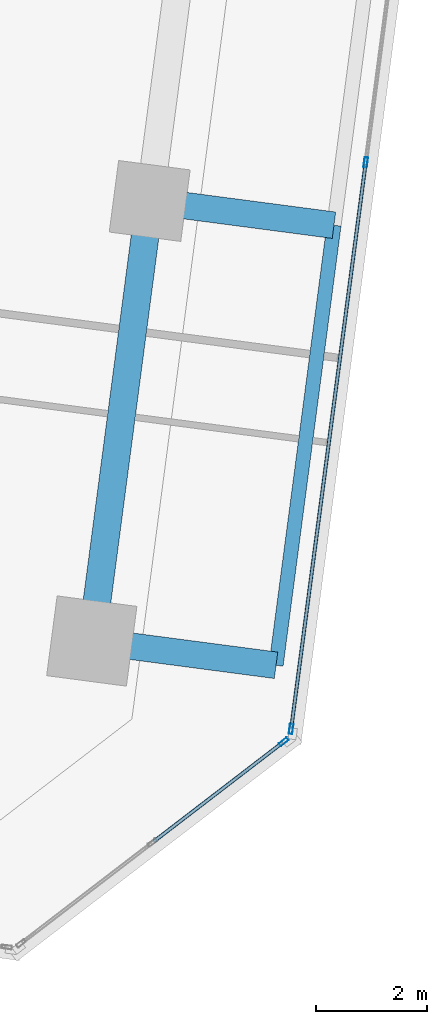
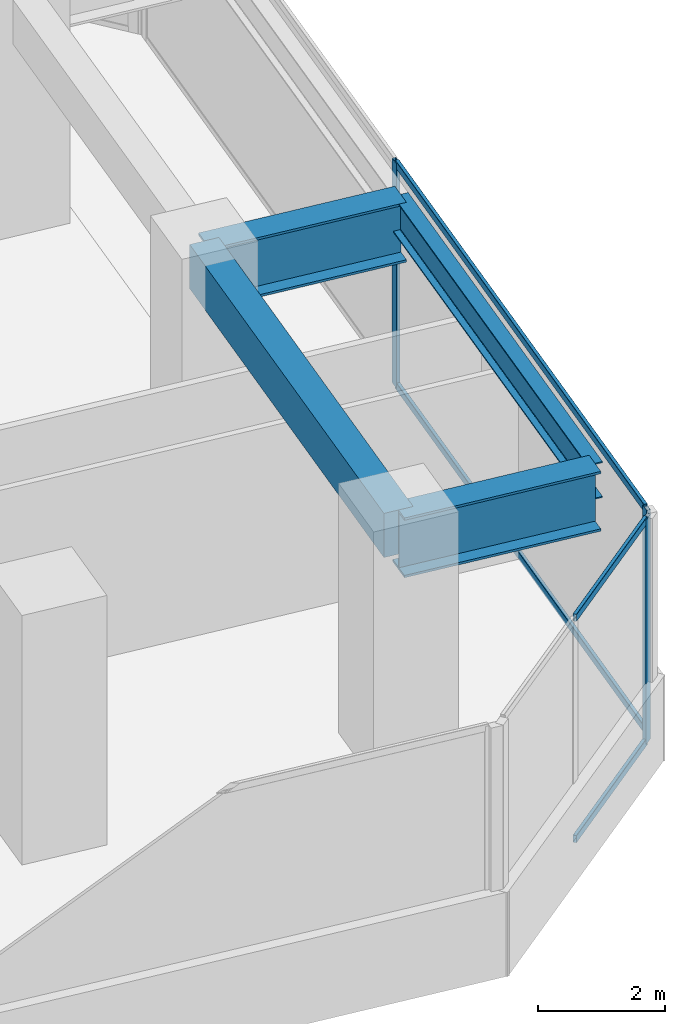
# One storey, part 11 of 24: 7 members, 4 beams, 2 elements without a shape of their own.
"""IFC4 building model written with IfcOpenShell, lengths in metres."""

from ifc_helpers import new_model, si_unit, direction, frame, origin, origin_2d, place, context, subcontext, project, spatial, rectangle, hollow_rectangle, i_section, extrude, source, transform, mapped, material, material_profile, profile_set, type_object, element, aggregate, save


model = new_model("IFC4")

# Units and contexts
model_context = context("Model", 3, precision=1e-05, world=origin(), true_north=direction((0.0, 1.0)))
body_context = subcontext(model_context, "Body", "Model", "MODEL_VIEW")
ifc_project = project(units=[si_unit("LENGTHUNIT", "METRE"), si_unit("AREAUNIT", "SQUARE_METRE"), si_unit("VOLUMEUNIT", "CUBIC_METRE"), si_unit("PLANEANGLEUNIT", "RADIAN"), si_unit("MASSUNIT", "GRAM", prefix="KILO")], contexts=[model_context])

# Site, building, storey
site_placement = place(None, origin())
site = spatial("IfcSite", under=ifc_project, at=site_placement, CompositionType="ELEMENT")
building_placement = place(site_placement, origin())
building = spatial("IfcBuilding", under=site, at=building_placement, Name="Torre Montelarca", CompositionType="ELEMENT")
storey_placement = place(building_placement, frame((0.0, 0.0, 61.60009765625)))
storey = spatial("IfcBuildingStorey", under=building, at=storey_placement, Name="L13", CompositionType="ELEMENT", Elevation=61.60009765625)

# Beams
ifc_material_1 = material(Name="Concrete C55/67", Category="concrete")
ifc_material_profile_1 = material_profile(ifc_material_1, rectangle(XDim=0.5, YDim=0.85009765625, at=origin_2d()), Name="RCB500X850", Category="concrete")
ifc_profile_set_1 = profile_set([ifc_material_profile_1], Name="Concrete C55/67")
beam_type_1 = type_object("IfcBeamType", Name="BM-SP-RC850-EXT", PredefinedType="SPANDREL", material=ifc_profile_set_1)
shared_shape_1 = source(origin(), body_context, "Body", "SweptSolid", [
    extrude(rectangle(XDim=0.5, YDim=0.85009765625, at=origin_2d()), origin(), (0.0, 0.0, 1.0), 7.999755859375),
])
beam_1_placement = place(storey_placement, frame((58.62646484375, 19.043212890625, 4.135009765625), z_axis=(0.130526351537, 0.991444840399, 0.0), x_axis=(-0.991444840399, 0.130526351537, 0.0)))
element("IfcBeam", 1, at=beam_1_placement, inside=storey, type_object=beam_type_1, Name="L13 Grid Girder Y 24.0-32.0 at X=60.0", PredefinedType="SPANDREL", context=body_context, shape_type="MappedRepresentation", body=[
    mapped(shared_shape_1, transform((0.0, 0.0, 0.0), scale=1.0)),
])
ifc_material_2 = material(Name="Steel ASTM A572 Grade 50", Category="steel")
ifc_material_profile_2 = material_profile(ifc_material_2, i_section(OverallWidth=0.47998046875, OverallDepth=1.14990234375, WebThickness=0.02197265625, FlangeThickness=0.044921875, at=origin_2d()), Name="PG1150X480X22X45", Category="steel")
ifc_profile_set_2 = profile_set([ifc_material_profile_2], Name="Steel ASTM A572 Grade 50")
beam_type_2 = type_object("IfcBeamType", Name="BM-CG-PG1400-EXT", PredefinedType="USERDEFINED", material=ifc_profile_set_2)
shared_shape_2 = source(origin(), body_context, "Body", "SweptSolid", [
    extrude(i_section(OverallWidth=0.47998046875, OverallDepth=1.14990234375, WebThickness=0.02197265625, FlangeThickness=0.044921875, at=origin_2d()), origin(), (0.0, 0.0, 1.0), 3.349853515625),
])
for number, where, z_axis, x_axis, name in (
    (2, (58.62646484375, 19.043212890625, 3.98486328125), (0.991444866817, -0.130526150873, 0.0), (0.130526150873, 0.991444866817, 0.0), "L13 Sliding Tray Cantilever Girder East Y=24m (FLR)"),
    (3, (59.670654296875, 26.974609375, 3.98486328125), (0.991454295543, -0.130454512571, 0.0), (0.130454512571, 0.991454295543, 0.0), "L13 Sliding Tray Cantilever Girder East Y=32m (FLR)"),
):
    element("IfcBeam", number, at=place(storey_placement, frame(where, z_axis=z_axis, x_axis=x_axis)), inside=storey, type_object=beam_type_2, Name=name, ObjectType="CANTILEVER GIRDER", PredefinedType="USERDEFINED", context=body_context, shape_type="MappedRepresentation", body=[
        mapped(shared_shape_2, transform((0.0, 0.0, 0.0), scale=1.0)),
    ])
ifc_material_3 = material(Name="Steel ASTM A992 Grade 50", Category="steel")
ifc_material_profile_3 = material_profile(ifc_material_3, i_section(OverallWidth=0.256103515625, OverallDepth=0.693115234375, WebThickness=0.014404296875, FlangeThickness=0.023681640625, FilletRadius=0.01806640625, at=origin_2d()), Name="W690X170", Category="steel")
ifc_profile_set_3 = profile_set([ifc_material_profile_3], Name="Steel ASTM A992 Grade 50")
beam_type_3 = type_object("IfcBeamType", Name="BM-G-W690-EXT", PredefinedType="BEAM", material=ifc_profile_set_3)
shared_shape_3 = source(origin(), body_context, "Body", "SweptSolid", [
    extrude(i_section(OverallWidth=0.256103515625, OverallDepth=0.693115234375, WebThickness=0.014404296875, FlangeThickness=0.023681640625, FilletRadius=0.01806640625, at=origin_2d()), origin(), (0.0, 0.0, 1.0), 8.0),
])
beam_2_placement = place(storey_placement, frame((61.94775390625, 18.60595703125, 4.212890625), z_axis=(0.130522402305, 0.991445360318, 0.0), x_axis=(-0.991445360318, 0.130522402305, 0.0)))
element("IfcBeam", 4, at=beam_2_placement, inside=storey, type_object=beam_type_3, Name="L13 Sliding Tray Edge Girder East 24-32m (FLR)", PredefinedType="BEAM", context=body_context, shape_type="MappedRepresentation", body=[
    mapped(shared_shape_3, transform((0.0, 0.0, 0.0), scale=1.0)),
])

# Curtain wall, members
ifc_material_4 = material(Name="Insulated low-E laminated glass", Category="glass")
curtain_wall_type = type_object("IfcCurtainWallType", Name="CW-SYS-Z1", PredefinedType="USERDEFINED", material=ifc_material_4)
curtain_wall_1_placement = place(storey_placement, origin())
curtain_wall_1 = element("IfcCurtainWall", 5, at=curtain_wall_1_placement, inside=storey, type_object=curtain_wall_type, Name="L13 Curtain Wall Run CW-T3-L13-E05-B1", ObjectType="UNITISED GLAZING", PredefinedType="USERDEFINED")
ifc_material_5 = material(Name="Anodised aluminium AA 6063-T6", Category="aluminium")
ifc_material_profile_4 = material_profile(ifc_material_5, hollow_rectangle(XDim=0.06494140625, YDim=0.139892578125, WallThickness=0.00390625, InnerFilletRadius=0.00390625, OuterFilletRadius=0.008056640625, at=origin_2d()), Name="ALU65X140X4", Category="aluminium")
ifc_profile_set_4 = profile_set([ifc_material_profile_4], Name="Anodised aluminium AA 6063-T6")
member_type_1 = type_object("IfcMemberType", Name="CWT-ALU140", PredefinedType="USERDEFINED", material=ifc_profile_set_4)
shared_shape_4 = source(origin(), body_context, "Body", "SweptSolid", [
    extrude(hollow_rectangle(XDim=0.06494140625, YDim=0.139892578125, WallThickness=0.00390625, InnerFilletRadius=0.00390625, OuterFilletRadius=0.008056640625, at=origin_2d()), origin(), (0.0, 0.0, 1.0), 2.918701171875),
])
member_1_placement = place(storey_placement, frame((59.74560546875, 15.43115234375, 0.032470703125), z_axis=(0.793326237783, 0.608796748058, 0.0), x_axis=(-0.608796748058, 0.793326237783, 0.0)))
member_1 = element("IfcMember", 6, at=member_1_placement, type_object=member_type_1, Name="CW transom 2.1", ObjectType="TRANSOM", PredefinedType="USERDEFINED", context=body_context, shape_type="MappedRepresentation", body=[
    mapped(shared_shape_4, transform((0.0, 0.0, 0.0), scale=1.0)),
])
member_2_placement = place(storey_placement, frame((59.74560546875, 15.43115234375, 4.287353515625), z_axis=(0.793326237783, 0.608796748058, 0.0), x_axis=(-0.608796748058, 0.793326237783, 0.0)))
member_2 = element("IfcMember", 7, at=member_2_placement, type_object=member_type_1, Name="CW transom 2.2", ObjectType="TRANSOM", PredefinedType="USERDEFINED", context=body_context, shape_type="MappedRepresentation", body=[
    mapped(shared_shape_4, transform((0.0, 0.0, 0.0), scale=1.0)),
])
ifc_material_profile_5 = material_profile(ifc_material_5, hollow_rectangle(XDim=0.06494140625, YDim=0.179931640625, WallThickness=0.00390625, InnerFilletRadius=0.00390625, OuterFilletRadius=0.008056640625, at=origin_2d()), Name="ALU65X180X4", Category="aluminium")
ifc_profile_set_5 = profile_set([ifc_material_profile_5], Name="Anodised aluminium AA 6063-T6")
member_type_2 = type_object("IfcMemberType", Name="CWM-ALU180", PredefinedType="MULLION", material=ifc_profile_set_5)
shared_shape_5 = source(origin(), body_context, "Body", "SweptSolid", [
    extrude(hollow_rectangle(XDim=0.06494140625, YDim=0.179931640625, WallThickness=0.00390625, InnerFilletRadius=0.00390625, OuterFilletRadius=0.008056640625, at=origin_2d()), origin(), (0.0, 0.0, 1.0), 4.31982421875),
])
member_3_placement = place(storey_placement, frame((62.0869140625, 17.227783203125, 0.0), z_axis=(0.0, 0.0, 1.0), x_axis=(-0.608764194066, 0.793351218581, 0.0)))
member_3 = element("IfcMember", 8, at=member_3_placement, type_object=member_type_2, Name="CW mullion 3", PredefinedType="MULLION", context=body_context, shape_type="MappedRepresentation", body=[
    mapped(shared_shape_5, transform((0.0, 0.0, 0.0), scale=1.0)),
])
aggregate(curtain_wall_1, [member_3, member_1, member_2])

curtain_wall_2_placement = place(storey_placement, origin())
curtain_wall_2 = element("IfcCurtainWall", 9, at=curtain_wall_2_placement, inside=storey, type_object=curtain_wall_type, Name="L13 Curtain Wall Run CW-T3-L13-E06-B1", ObjectType="UNITISED GLAZING", PredefinedType="USERDEFINED")
member_4_placement = place(storey_placement, frame((62.220458984375, 17.458984375, 0.0), z_axis=(0.0, 0.0, 1.0), x_axis=(-0.991445845328, 0.130518718127, 0.0)))
member_4 = element("IfcMember", 10, at=member_4_placement, type_object=member_type_2, Name="CW mullion 1", PredefinedType="MULLION", context=body_context, shape_type="MappedRepresentation", body=[
    mapped(shared_shape_5, transform((0.0, 0.0, 0.0), scale=1.0)),
])
member_5_placement = place(storey_placement, frame((63.56494140625, 27.67236328125, 0.0), z_axis=(0.0, 0.0, 1.0), x_axis=(-0.991445845328, 0.130518718127, 0.0)))
member_5 = element("IfcMember", 11, at=member_5_placement, type_object=member_type_2, Name="CW mullion 2", PredefinedType="MULLION", context=body_context, shape_type="MappedRepresentation", body=[
    mapped(shared_shape_5, transform((0.0, 0.0, 0.0), scale=1.0)),
])
shared_shape_6 = source(origin(), body_context, "Body", "SweptSolid", [
    extrude(hollow_rectangle(XDim=0.06494140625, YDim=0.139892578125, WallThickness=0.00390625, InnerFilletRadius=0.00390625, OuterFilletRadius=0.008056640625, at=origin_2d()), origin(), (0.0, 0.0, 1.0), 10.236572265625),
])
member_6_placement = place(storey_placement, frame((62.224609375, 17.4912109375, 0.032470703125), z_axis=(0.130531014, 0.991444226563, 0.0), x_axis=(-0.991444226563, 0.130531014, 0.0)))
member_6 = element("IfcMember", 12, at=member_6_placement, type_object=member_type_1, Name="CW transom 1.1", ObjectType="TRANSOM", PredefinedType="USERDEFINED", context=body_context, shape_type="MappedRepresentation", body=[
    mapped(shared_shape_6, transform((0.0, 0.0, 0.0), scale=1.0)),
])
member_7_placement = place(storey_placement, frame((62.224609375, 17.4912109375, 4.287353515625), z_axis=(0.130531014, 0.991444226563, 0.0), x_axis=(-0.991444226563, 0.130531014, 0.0)))
member_7 = element("IfcMember", 13, at=member_7_placement, type_object=member_type_1, Name="CW transom 1.2", ObjectType="TRANSOM", PredefinedType="USERDEFINED", context=body_context, shape_type="MappedRepresentation", body=[
    mapped(shared_shape_6, transform((0.0, 0.0, 0.0), scale=1.0)),
])
aggregate(curtain_wall_2, [member_4, member_5, member_6, member_7])

save(model, "model.ifc")
